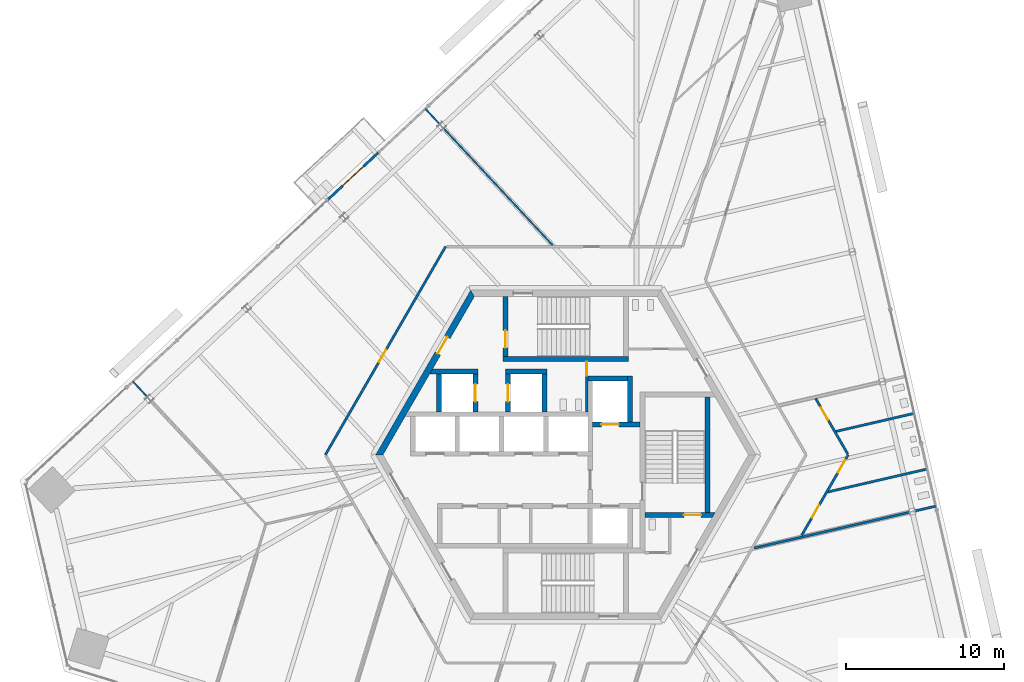
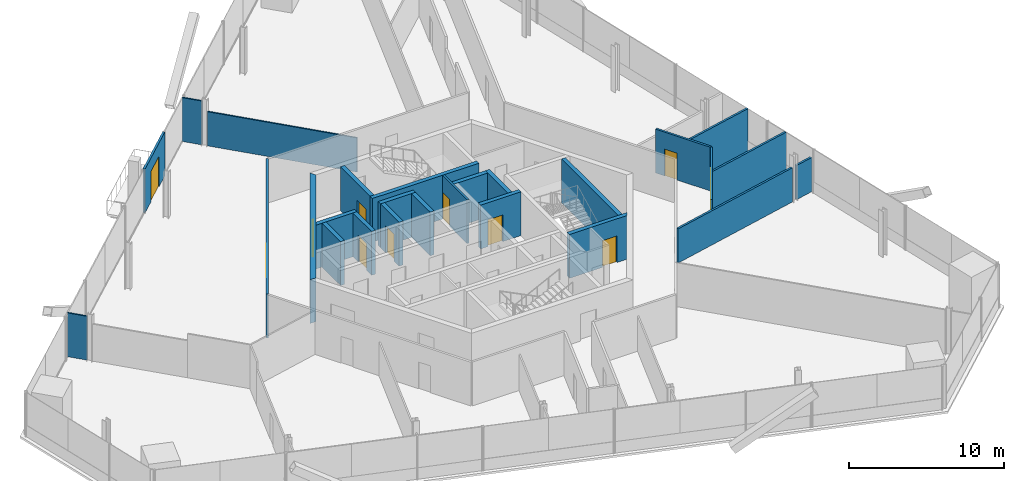
# One storey, part 12 of 17: 26 walls, 12 doors, 12 openings.
"""IFC4 building model written with IfcOpenShell, lengths in metres."""

from ifc_helpers import new_model, si_unit, direction, frame, frame_2d, origin, place, context, subcontext, project, spatial, polyline, rectangle, outline, extrude, source, transform, mapped, material, layer, layer_set, type_object, element, fill, save


model = new_model("IFC4")

# Units and contexts
model_context = context("Model", 3, precision=1e-05, world=origin(), true_north=direction((0.0, 1.0)))
body_context = subcontext(model_context, "Body", "Model", "MODEL_VIEW")
ifc_project = project(units=[si_unit("LENGTHUNIT", "METRE"), si_unit("AREAUNIT", "SQUARE_METRE"), si_unit("VOLUMEUNIT", "CUBIC_METRE"), si_unit("PLANEANGLEUNIT", "RADIAN"), si_unit("MASSUNIT", "GRAM", prefix="KILO")], contexts=[model_context])

# Site, building, storey
site_placement = place(None, origin())
site = spatial("IfcSite", under=ifc_project, at=site_placement, CompositionType="ELEMENT")
building_placement = place(site_placement, origin())
building = spatial("IfcBuilding", under=site, at=building_placement, Name="Triune Harvest Tower", CompositionType="ELEMENT")
storey_placement = place(building_placement, frame((0.0, 0.0, 123.5)))
storey = spatial("IfcBuildingStorey", under=building, at=storey_placement, Name="L31", CompositionType="ELEMENT", Elevation=123.5)

# Wall, opening, door
ifc_material_1 = material(Name="Gypsum board on steel studs", Category="steel")
ifc_layer_1 = layer(ifc_material_1, 0.14990234375)
ifc_layer_set_1 = layer_set([ifc_layer_1], Name="Gypsum board on steel studs")
wall_type_1 = type_object("IfcWallType", Name="Fire Partition 150 mm", PredefinedType="PARTITIONING", material=ifc_layer_set_1)
wall_1_placement = place(storey_placement, frame((15.77392578125, 3.563232421875, 0.0), z_axis=(0.0, 0.0, 1.0), x_axis=(0.499989360119, -0.866031546636, 0.0)))
wall_1 = element("IfcWall", 1, at=wall_1_placement, inside=storey, type_object=wall_type_1, Name="Partition L31 004", PredefinedType="PARTITIONING", context=body_context, shape_type="SweptSolid", body=[
    extrude(rectangle(XDim=4.064453125, YDim=0.14990234375, at=frame_2d((2.0322265625, 0.0))), origin(), (0.0, 0.0, 1.0), 3.43994140625),
])
opening_1_placement = place(wall_1_placement, frame((0.6796875, 0.0, 0.0)))
opening_1 = element("IfcOpeningElement", 2, at=opening_1_placement, cuts=wall_1, Name="Opening L31-005", PredefinedType="OPENING", context=body_context, shape_type="SweptSolid", body=[
    extrude(rectangle(XDim=0.89990234375, YDim=2.10009765625, at=frame_2d((0.449951171875, 1.050048828125))), frame((0.0, 0.0849609375, 0.0), z_axis=(0.0, -1.0, 0.0), x_axis=(1.0, 0.0, 0.0)), (0.0, 0.0, 1.0), 0.169921875),
])
ifc_material_2 = material(Name="Timber and steel door set", Category="steel")
door_type_1 = type_object("IfcDoorType", Name="Single leaf door FD30 left hand 900 x 2100", OperationType="SINGLE_SWING_LEFT", PredefinedType="DOOR", material=ifc_material_2)
door_1_placement = place(opening_1_placement, origin())
door_1 = element("IfcDoor", 3, at=door_1_placement, inside=storey, type_object=door_type_1, Name="Door L31-005 Accessible WC 31.05", OperationType="SINGLE_SWING_LEFT", OverallHeight=2.10009765625, OverallWidth=0.89990234375, PredefinedType="DOOR", context=body_context, shape_type="SweptSolid", body=[
    extrude(rectangle(XDim=0.89990234375, YDim=2.10009765625, at=frame_2d((0.449951171875, 1.050048828125))), frame((0.0, 0.02490234375, 0.0), z_axis=(0.0, -1.0, 0.0), x_axis=(1.0, 0.0, 0.0)), (0.0, 0.0, 1.0), 0.050048828125),
])
fill(opening_1, door_1)

# Walls
wall_2_placement = place(storey_placement, frame((22.048828125, -3.54541015625, 0.0), z_axis=(0.0, 0.0, 1.0), x_axis=(0.974363511026, 0.224979439906, 0.0)))
element("IfcWall", 4, at=wall_2_placement, inside=storey, type_object=wall_type_1, Name="Partition L31 017", PredefinedType="PARTITIONING", context=body_context, shape_type="SweptSolid", body=[
    extrude(rectangle(XDim=1.338134765625, YDim=0.14990234375, at=frame_2d((0.6689453125, 0.0))), origin(), (0.0, 0.0, 1.0), 2.68310546875),
])
wall_3_placement = place(storey_placement, frame((16.465576171875, -2.365234375, 0.0), z_axis=(0.0, 0.0, 1.0), x_axis=(0.974376029981, 0.224925214677, 0.0)))
element("IfcWall", 5, at=wall_3_placement, inside=storey, type_object=wall_type_1, Name="Partition L31 018", PredefinedType="PARTITIONING", context=body_context, shape_type="SweptSolid", body=[
    extrude(rectangle(XDim=6.5126953125, YDim=0.14990234375, at=frame_2d((3.25634765625, 0.0))), origin(), (0.0, 0.0, 1.0), 3.43994140625),
])
wall_4_placement = place(storey_placement, frame((16.98876953125, 1.458984375, 0.0), z_axis=(0.0, 0.0, 1.0), x_axis=(0.974363183616, 0.224980857881, 0.0)))
element("IfcWall", 6, at=wall_4_placement, inside=storey, type_object=wall_type_1, Name="Partition L31 019", PredefinedType="PARTITIONING", context=body_context, shape_type="SweptSolid", body=[
    extrude(rectangle(XDim=5.142578125, YDim=0.14990234375, at=frame_2d((2.5712890625, 0.0))), origin(), (0.0, 0.0, 1.0), 3.43994140625),
])

# Wall, openings, doors
wall_5_placement = place(storey_placement, frame((14.890869140625, -5.093017578125, 0.0), z_axis=(0.0, 0.0, 1.0), x_axis=(0.499996762963, 0.866027272681, 0.0)))
wall_5 = element("IfcWall", 7, at=wall_5_placement, inside=storey, type_object=wall_type_1, Name="Partition L31 024", PredefinedType="PARTITIONING", context=body_context, shape_type="SweptSolid", body=[
    extrude(rectangle(XDim=5.880859375, YDim=0.14990234375, at=frame_2d((2.9404296875, 0.0))), origin(), (0.0, 0.0, 1.0), 3.43994140625),
])
opening_2_placement = place(wall_5_placement, frame((1.31005859375, 0.0, 0.0)))
opening_2 = element("IfcOpeningElement", 8, at=opening_2_placement, cuts=wall_5, Name="Opening L31-003", PredefinedType="OPENING", context=body_context, shape_type="SweptSolid", body=[
    extrude(rectangle(XDim=0.89990234375, YDim=2.10009765625, at=frame_2d((0.449951171875, 1.050048828125))), frame((0.0, 0.0849609375, 0.0), z_axis=(0.0, -1.0, 0.0), x_axis=(1.0, 0.0, 0.0)), (0.0, 0.0, 1.0), 0.169921875),
])
opening_3_placement = place(wall_5_placement, frame((4.599609375, 0.0, 0.0)))
opening_3 = element("IfcOpeningElement", 9, at=opening_3_placement, cuts=wall_5, Name="Opening L31-004", PredefinedType="OPENING", context=body_context, shape_type="SweptSolid", body=[
    extrude(rectangle(XDim=0.89990234375, YDim=2.10009765625, at=frame_2d((0.449951171875, 1.050048828125))), frame((0.0, 0.0849609375, 0.0), z_axis=(0.0, -1.0, 0.0), x_axis=(1.0, 0.0, 0.0)), (0.0, 0.0, 1.0), 0.169921875),
])
door_2_placement = place(opening_3_placement, origin())
door_2 = element("IfcDoor", 10, at=door_2_placement, inside=storey, type_object=door_type_1, Name="Door L31-004 Men's WC 31.04", OperationType="SINGLE_SWING_LEFT", OverallHeight=2.10009765625, OverallWidth=0.89990234375, PredefinedType="DOOR", context=body_context, shape_type="SweptSolid", body=[
    extrude(rectangle(XDim=0.89990234375, YDim=2.10009765625, at=frame_2d((0.449951171875, 1.050048828125))), frame((0.0, 0.02490234375, 0.0), z_axis=(0.0, -1.0, 0.0), x_axis=(1.0, 0.0, 0.0)), (0.0, 0.0, 1.0), 0.050048828125),
])
fill(opening_3, door_2)
ifc_material_3 = material(Name="Timber and steel door set", Category="steel")
door_type_2 = type_object("IfcDoorType", Name="Single leaf door FD30 right hand 900 x 2100", OperationType="SINGLE_SWING_RIGHT", PredefinedType="DOOR", material=ifc_material_3)
door_3_placement = place(opening_2_placement, origin())
door_3 = element("IfcDoor", 11, at=door_3_placement, inside=storey, type_object=door_type_2, Name="Door L31-003 Women's WC 31.03", OperationType="SINGLE_SWING_RIGHT", OverallHeight=2.10009765625, OverallWidth=0.89990234375, PredefinedType="DOOR", context=body_context, shape_type="SweptSolid", body=[
    extrude(rectangle(XDim=0.89990234375, YDim=2.10009765625, at=frame_2d((0.449951171875, 1.050048828125))), frame((0.0, 0.02490234375, 0.0), z_axis=(0.0, -1.0, 0.0), x_axis=(1.0, 0.0, 0.0)), (0.0, 0.0, 1.0), 0.050048828125),
])
fill(opening_2, door_3)

# Wall, opening, door
ifc_material_4 = material(Name="Concrete 70 MPa", Category="concrete")
ifc_layer_2 = layer(ifc_material_4, 0.39990234375)
ifc_layer_set_2 = layer_set([ifc_layer_2], Name="Concrete 70 MPa")
wall_type_2 = type_object("IfcWallType", Name="Core wall 400", PredefinedType="SHEAR", material=ifc_layer_set_2)
shared_shape_1 = source(origin(), body_context, "Body", "SweptSolid", [
    extrude(outline(polyline([(-0.115478515625, -0.199951171875), (11.884521484375, -0.199951171875), (11.653564453125, 0.199951171875), (0.115478515625, 0.199951171875), (-0.115478515625, -0.199951171875)])), origin(), (0.0, 0.0, 1.0), 3.43994140625),
])
wall_6_placement = place(storey_placement, frame((-5.884521484375, 10.1923828125, 0.0), z_axis=(0.0, 0.0, 1.0), x_axis=(-0.499996592174, -0.866027371285, 0.0)))
wall_6 = element("IfcWall", 12, at=wall_6_placement, inside=storey, type_object=wall_type_2, Name="Hexagon 2 wall", PredefinedType="SHEAR", context=body_context, shape_type="MappedRepresentation", body=[
    mapped(shared_shape_1, transform((0.0, 0.0, 0.0), scale=1.0)),
])
opening_4_placement = place(wall_6_placement, frame((3.1845703125, 0.0, 0.0)))
opening_4 = element("IfcOpeningElement", 13, at=opening_4_placement, cuts=wall_6, Name="Opening CD-SVP", PredefinedType="OPENING", context=body_context, shape_type="SweptSolid", body=[
    extrude(rectangle(XDim=1.199951171875, YDim=2.10009765625, at=frame_2d((0.60009765625, 1.050048828125))), frame((0.0, 0.2099609375, 0.0), z_axis=(0.0, -1.0, 0.0), x_axis=(1.0, 0.0, 0.0)), (0.0, 0.0, 1.0), 0.419921875),
])
ifc_material_5 = material(Name="Steel S235", Category="steel")
door_type_3 = type_object("IfcDoorType", Name="Service door 1200 FD120", OperationType="SINGLE_SWING_LEFT", PredefinedType="DOOR", material=ifc_material_5)
door_4_placement = place(opening_4_placement, frame((1.199951171875, 0.0, 0.0), z_axis=(0.0, 0.0, 1.0), x_axis=(-1.0, 0.0, 0.0)))
door_4 = element("IfcDoor", 14, at=door_4_placement, inside=storey, type_object=door_type_3, Name="Door CD-SVP", OperationType="SINGLE_SWING_RIGHT", OverallHeight=2.10009765625, OverallWidth=1.199951171875, PredefinedType="DOOR", context=body_context, shape_type="SweptSolid", body=[
    extrude(rectangle(XDim=1.199951171875, YDim=2.10009765625, at=frame_2d((0.60009765625, 1.050048828125))), frame((0.0, 0.02490234375, 0.0), z_axis=(0.0, -1.0, 0.0), x_axis=(1.0, 0.0, 0.0)), (0.0, 0.0, 1.0), 0.050048828125),
])
fill(opening_4, door_4)

# Wall
ifc_material_6 = material(Name="Concrete 70 MPa", Category="concrete")
ifc_layer_3 = layer(ifc_material_6, 0.300048828125)
ifc_layer_set_3 = layer_set([ifc_layer_3], Name="Concrete 70 MPa")
wall_type_3 = type_object("IfcWallType", Name="Core wall 300", PredefinedType="SHEAR", material=ifc_layer_set_3)
shared_shape_2 = source(origin(), body_context, "Body", "SweptSolid", [
    extrude(rectangle(XDim=2.5, YDim=0.300048828125, at=frame_2d((1.25, 0.0))), origin(), (0.0, 0.0, 1.0), 3.43994140625),
])
wall_7_placement = place(storey_placement, frame((1.39990234375, 4.81005859375, 0.0), z_axis=(0.0, 0.0, 1.0), x_axis=(1.0, 0.0, 0.0)))
element("IfcWall", 15, at=wall_7_placement, inside=storey, type_object=wall_type_3, Name="Ff1 back wall", PredefinedType="SHEAR", context=body_context, shape_type="MappedRepresentation", body=[
    mapped(shared_shape_2, transform((0.0, 0.0, 0.0), scale=1.0)),
])

# Wall, opening, door
shared_shape_3 = source(origin(), body_context, "Body", "SweptSolid", [
    extrude(rectangle(XDim=3.0, YDim=0.300048828125, at=frame_2d((1.5, 0.0))), origin(), (0.0, 0.0, 1.0), 3.43994140625),
])
wall_8_placement = place(storey_placement, frame((1.699951171875, 1.909912109375, 0.0), z_axis=(0.0, 0.0, 1.0), x_axis=(1.0, 0.0, 0.0)))
wall_8 = element("IfcWall", 16, at=wall_8_placement, inside=storey, type_object=wall_type_3, Name="Ff1 front wall", PredefinedType="SHEAR", context=body_context, shape_type="MappedRepresentation", body=[
    mapped(shared_shape_3, transform((0.0, 0.0, 0.0), scale=1.0)),
])
opening_5_placement = place(wall_8_placement, frame((0.550048828125, 0.0, 0.0)))
opening_5 = element("IfcOpeningElement", 17, at=opening_5_placement, cuts=wall_8, Name="Opening LD-FF1-31", PredefinedType="OPENING", context=body_context, shape_type="SweptSolid", body=[
    extrude(rectangle(XDim=1.10009765625, YDim=2.10009765625, at=frame_2d((0.550048828125, 1.050048828125))), frame((0.0, 0.16015625, 0.0), z_axis=(0.0, -1.0, 0.0), x_axis=(1.0, 0.0, 0.0)), (0.0, 0.0, 1.0), 0.320068359375),
])
ifc_material_7 = material(Name="Stainless steel AISI 304", Category="steel")
door_type_4 = type_object("IfcDoorType", Name="Landing door 1100 x 2100", OperationType="DOUBLE_DOOR_SLIDING", PredefinedType="DOOR", material=ifc_material_7)
door_5_placement = place(opening_5_placement, origin())
door_5 = element("IfcDoor", 18, at=door_5_placement, inside=storey, type_object=door_type_4, Name="Door LD-FF1-31", OperationType="DOUBLE_DOOR_SLIDING", OverallHeight=2.10009765625, OverallWidth=1.10009765625, PredefinedType="DOOR", context=body_context, shape_type="SweptSolid", body=[
    extrude(rectangle(XDim=1.10009765625, YDim=2.10009765625, at=frame_2d((0.550048828125, 1.050048828125))), frame((0.0, 0.02490234375, 0.0), z_axis=(0.0, -1.0, 0.0), x_axis=(1.0, 0.0, 0.0)), (0.0, 0.0, 1.0), 0.050048828125),
])
fill(opening_5, door_5)

# Wall
shared_shape_4 = source(origin(), body_context, "Body", "SweptSolid", [
    extrude(rectangle(XDim=2.89990234375, YDim=0.300048828125, at=frame_2d((1.449951171875, 0.0))), origin(), (0.0, 0.0, 1.0), 3.43994140625),
])
wall_9_placement = place(storey_placement, frame((4.050048828125, 2.06005859375, 0.0), z_axis=(0.0, 0.0, 1.0), x_axis=(0.0, 1.0, 0.0)))
element("IfcWall", 19, at=wall_9_placement, inside=storey, type_object=wall_type_3, Name="Ff1 east wall", PredefinedType="SHEAR", context=body_context, shape_type="MappedRepresentation", body=[
    mapped(shared_shape_4, transform((0.0, 0.0, 0.0), scale=1.0)),
])

# Wall, opening, door
shared_shape_5 = source(origin(), body_context, "Body", "SweptSolid", [
    extrude(outline(polyline([(0.0, -0.14990234375), (0.0, 0.14990234375), (4.43310546875, 0.14990234375), (4.260009765625, -0.14990234375), (0.0, -0.14990234375)])), origin(), (0.0, 0.0, 1.0), 3.43994140625),
])
wall_10_placement = place(storey_placement, frame((5.0, -3.800048828125, 0.0), z_axis=(0.0, 0.0, 1.0), x_axis=(1.0, 0.0, 0.0)))
wall_10 = element("IfcWall", 20, at=wall_10_placement, inside=storey, type_object=wall_type_3, Name="Stair e south wall", PredefinedType="SHEAR", context=body_context, shape_type="MappedRepresentation", body=[
    mapped(shared_shape_5, transform((0.0, 0.0, 0.0), scale=1.0)),
])
opening_6_placement = place(wall_10_placement, frame((2.449951171875, 0.0, 0.0)))
opening_6 = element("IfcOpeningElement", 21, at=opening_6_placement, cuts=wall_10, Name="Opening CD-S3D", PredefinedType="OPENING", context=body_context, shape_type="SweptSolid", body=[
    extrude(rectangle(XDim=1.10009765625, YDim=2.10009765625, at=frame_2d((0.550048828125, 1.050048828125))), frame((0.0, 0.16015625, 0.0), z_axis=(0.0, -1.0, 0.0), x_axis=(1.0, 0.0, 0.0)), (0.0, 0.0, 1.0), 0.320068359375),
])
ifc_material_8 = material(Name="Steel S235", Category="steel")
door_type_5 = type_object("IfcDoorType", Name="Stair door 1100 FD120", OperationType="SINGLE_SWING_LEFT", PredefinedType="DOOR", material=ifc_material_8)
door_6_placement = place(opening_6_placement, frame((1.10009765625, 0.0, 0.0), z_axis=(0.0, 0.0, 1.0), x_axis=(-1.0, 0.0, 0.0)))
door_6 = element("IfcDoor", 22, at=door_6_placement, inside=storey, type_object=door_type_5, Name="Door CD-S3D", OperationType="SINGLE_SWING_RIGHT", OverallHeight=2.10009765625, OverallWidth=1.10009765625, PredefinedType="DOOR", context=body_context, shape_type="SweptSolid", body=[
    extrude(rectangle(XDim=1.10009765625, YDim=2.10009765625, at=frame_2d((0.550048828125, 1.050048828125))), frame((0.0, 0.02490234375, 0.0), z_axis=(0.0, -1.0, 0.0), x_axis=(1.0, 0.0, 0.0)), (0.0, 0.0, 1.0), 0.050048828125),
])
fill(opening_6, door_6)

# Walls
shared_shape_6 = source(origin(), body_context, "Body", "SweptSolid", [
    extrude(rectangle(XDim=7.2998046875, YDim=0.300048828125, at=frame_2d((3.64990234375, 0.0))), origin(), (0.0, 0.0, 1.0), 3.43994140625),
])
wall_11_placement = place(storey_placement, frame((8.949951171875, -3.64990234375, 0.0), z_axis=(0.0, 0.0, 1.0), x_axis=(0.0, 1.0, 0.0)))
element("IfcWall", 23, at=wall_11_placement, inside=storey, type_object=wall_type_3, Name="Stair e east wall", PredefinedType="SHEAR", context=body_context, shape_type="MappedRepresentation", body=[
    mapped(shared_shape_6, transform((0.0, 0.0, 0.0), scale=1.0)),
])
shared_shape_7 = source(origin(), body_context, "Body", "SweptSolid", [
    extrude(rectangle(XDim=7.89990234375, YDim=0.300048828125, at=frame_2d((3.949951171875, 0.0))), origin(), (0.0, 0.0, 1.0), 3.43994140625),
])
wall_12_placement = place(storey_placement, frame((-3.949951171875, 6.0400390625, 0.0), z_axis=(0.0, 0.0, 1.0), x_axis=(1.0, 0.0, 0.0)))
element("IfcWall", 24, at=wall_12_placement, inside=storey, type_object=wall_type_3, Name="Stair n south wall", PredefinedType="SHEAR", context=body_context, shape_type="MappedRepresentation", body=[
    mapped(shared_shape_7, transform((0.0, 0.0, 0.0), scale=1.0)),
])

# Wall, opening, door
shared_shape_8 = source(origin(), body_context, "Body", "SweptSolid", [
    extrude(outline(polyline([(0.0, -0.14990234375), (0.0, 0.14990234375), (3.80419921875, 0.14990234375), (3.80419921875, -0.14990234375), (0.0, -0.14990234375)])), origin(), (0.0, 0.0, 1.0), 3.43994140625),
])
wall_13_placement = place(storey_placement, frame((-3.800048828125, 6.18994140625, 0.0), z_axis=(0.0, 0.0, 1.0), x_axis=(0.0, 1.0, 0.0)))
wall_13 = element("IfcWall", 25, at=wall_13_placement, inside=storey, type_object=wall_type_3, Name="Stair n west wall", PredefinedType="SHEAR", context=body_context, shape_type="MappedRepresentation", body=[
    mapped(shared_shape_8, transform((0.0, 0.0, 0.0), scale=1.0)),
])
opening_7_placement = place(wall_13_placement, frame((0.56005859375, 0.0, 0.0)))
opening_7 = element("IfcOpeningElement", 26, at=opening_7_placement, cuts=wall_13, Name="Opening CD-S1L", PredefinedType="OPENING", context=body_context, shape_type="SweptSolid", body=[
    extrude(rectangle(XDim=1.10009765625, YDim=2.10009765625, at=frame_2d((0.550048828125, 1.050048828125))), frame((0.0, 0.16015625, 0.0), z_axis=(0.0, -1.0, 0.0), x_axis=(1.0, 0.0, 0.0)), (0.0, 0.0, 1.0), 0.320068359375),
])
door_7_placement = place(opening_7_placement, frame((1.10009765625, 0.0, 0.0), z_axis=(0.0, 0.0, 1.0), x_axis=(-1.0, 0.0, 0.0)))
door_7 = element("IfcDoor", 27, at=door_7_placement, inside=storey, type_object=door_type_5, Name="Door CD-S1L", OperationType="SINGLE_SWING_RIGHT", OverallHeight=2.10009765625, OverallWidth=1.10009765625, PredefinedType="DOOR", context=body_context, shape_type="SweptSolid", body=[
    extrude(rectangle(XDim=1.10009765625, YDim=2.10009765625, at=frame_2d((0.550048828125, 1.050048828125))), frame((0.0, 0.02490234375, 0.0), z_axis=(0.0, -1.0, 0.0), x_axis=(1.0, 0.0, 0.0)), (0.0, 0.0, 1.0), 0.050048828125),
])
fill(opening_7, door_7)

# Walls
shared_shape_9 = source(origin(), body_context, "Body", "SweptSolid", [
    extrude(outline(polyline([(2.60009765625, -0.14990234375), (-0.440185546875, -0.14990234375), (-0.26708984375, 0.14990234375), (2.60009765625, 0.14990234375), (2.60009765625, -0.14990234375)])), origin(), (0.0, 0.0, 1.0), 3.43994140625),
])
wall_14_placement = place(storey_placement, frame((-8.14990234375, 5.260009765625, 0.0), z_axis=(0.0, 0.0, 1.0), x_axis=(1.0, 0.0, 0.0)))
element("IfcWall", 28, at=wall_14_placement, inside=storey, type_object=wall_type_3, Name="Sv1 north wall", PredefinedType="SHEAR", context=body_context, shape_type="MappedRepresentation", body=[
    mapped(shared_shape_9, transform((0.0, 0.0, 0.0), scale=1.0)),
])
shared_shape_10 = source(origin(), body_context, "Body", "SweptSolid", [
    extrude(rectangle(XDim=2.400146484375, YDim=0.300048828125, at=frame_2d((1.2001953125, 0.0))), origin(), (0.0, 0.0, 1.0), 3.43994140625),
])
wall_15_placement = place(storey_placement, frame((-8.0, 2.7099609375, 0.0), z_axis=(0.0, 0.0, 1.0), x_axis=(0.0, 1.0, 0.0)))
element("IfcWall", 29, at=wall_15_placement, inside=storey, type_object=wall_type_3, Name="Sv1 west wall", PredefinedType="SHEAR", context=body_context, shape_type="MappedRepresentation", body=[
    mapped(shared_shape_10, transform((0.0, 0.0, 0.0), scale=1.0)),
])

# Wall, opening, door
wall_16_placement = place(storey_placement, frame((-5.699951171875, 2.7099609375, 0.0), z_axis=(0.0, 0.0, 1.0), x_axis=(0.0, 1.0, 0.0)))
wall_16 = element("IfcWall", 30, at=wall_16_placement, inside=storey, type_object=wall_type_3, Name="Sv1 east wall", PredefinedType="SHEAR", context=body_context, shape_type="MappedRepresentation", body=[
    mapped(shared_shape_10, transform((0.0, 0.0, 0.0), scale=1.0)),
])
opening_8_placement = place(wall_16_placement, frame((0.64990234375, 0.0, 0.0)))
opening_8 = element("IfcOpeningElement", 31, at=opening_8_placement, cuts=wall_16, Name="Opening LD-SV1-31", PredefinedType="OPENING", context=body_context, shape_type="SweptSolid", body=[
    extrude(rectangle(XDim=1.10009765625, YDim=2.10009765625, at=frame_2d((0.550048828125, 1.050048828125))), frame((0.0, 0.16015625, 0.0), z_axis=(0.0, -1.0, 0.0), x_axis=(1.0, 0.0, 0.0)), (0.0, 0.0, 1.0), 0.320068359375),
])
door_8_placement = place(opening_8_placement, origin())
door_8 = element("IfcDoor", 32, at=door_8_placement, inside=storey, type_object=door_type_4, Name="Door LD-SV1-31", OperationType="DOUBLE_DOOR_SLIDING", OverallHeight=2.10009765625, OverallWidth=1.10009765625, PredefinedType="DOOR", context=body_context, shape_type="SweptSolid", body=[
    extrude(rectangle(XDim=1.10009765625, YDim=2.10009765625, at=frame_2d((0.550048828125, 1.050048828125))), frame((0.0, 0.02490234375, 0.0), z_axis=(0.0, -1.0, 0.0), x_axis=(1.0, 0.0, 0.0)), (0.0, 0.0, 1.0), 0.050048828125),
])
fill(opening_8, door_8)

wall_17_placement = place(storey_placement, frame((-3.64990234375, 2.7099609375, 0.0), z_axis=(0.0, 0.0, 1.0), x_axis=(0.0, 1.0, 0.0)))
wall_17 = element("IfcWall", 33, at=wall_17_placement, inside=storey, type_object=wall_type_3, Name="Sv2 west wall", PredefinedType="SHEAR", context=body_context, shape_type="MappedRepresentation", body=[
    mapped(shared_shape_10, transform((0.0, 0.0, 0.0), scale=1.0)),
])
opening_9_placement = place(wall_17_placement, frame((0.64990234375, 0.0, 0.0)))
opening_9 = element("IfcOpeningElement", 34, at=opening_9_placement, cuts=wall_17, Name="Opening LD-SV2-31", PredefinedType="OPENING", context=body_context, shape_type="SweptSolid", body=[
    extrude(rectangle(XDim=1.10009765625, YDim=2.10009765625, at=frame_2d((0.550048828125, 1.050048828125))), frame((0.0, 0.16015625, 0.0), z_axis=(0.0, -1.0, 0.0), x_axis=(1.0, 0.0, 0.0)), (0.0, 0.0, 1.0), 0.320068359375),
])
door_9_placement = place(opening_9_placement, origin())
door_9 = element("IfcDoor", 35, at=door_9_placement, inside=storey, type_object=door_type_4, Name="Door LD-SV2-31", OperationType="DOUBLE_DOOR_SLIDING", OverallHeight=2.10009765625, OverallWidth=1.10009765625, PredefinedType="DOOR", context=body_context, shape_type="SweptSolid", body=[
    extrude(rectangle(XDim=1.10009765625, YDim=2.10009765625, at=frame_2d((0.550048828125, 1.050048828125))), frame((0.0, 0.02490234375, 0.0), z_axis=(0.0, -1.0, 0.0), x_axis=(1.0, 0.0, 0.0)), (0.0, 0.0, 1.0), 0.050048828125),
])
fill(opening_9, door_9)

# Walls
wall_18_placement = place(storey_placement, frame((-1.35009765625, 2.7099609375, 0.0), z_axis=(0.0, 0.0, 1.0), x_axis=(0.0, 1.0, 0.0)))
element("IfcWall", 36, at=wall_18_placement, inside=storey, type_object=wall_type_3, Name="Sv2 east wall", PredefinedType="SHEAR", context=body_context, shape_type="MappedRepresentation", body=[
    mapped(shared_shape_10, transform((0.0, 0.0, 0.0), scale=1.0)),
])
shared_shape_11 = source(origin(), body_context, "Body", "SweptSolid", [
    extrude(rectangle(XDim=2.60009765625, YDim=0.300048828125, at=frame_2d((1.300048828125, 0.0))), origin(), (0.0, 0.0, 1.0), 3.43994140625),
])
wall_19_placement = place(storey_placement, frame((-3.800048828125, 5.260009765625, 0.0), z_axis=(0.0, 0.0, 1.0), x_axis=(1.0, 0.0, 0.0)))
element("IfcWall", 37, at=wall_19_placement, inside=storey, type_object=wall_type_3, Name="Sv2 north wall", PredefinedType="SHEAR", context=body_context, shape_type="MappedRepresentation", body=[
    mapped(shared_shape_11, transform((0.0, 0.0, 0.0), scale=1.0)),
])

# Wall, opening, door
ifc_material_9 = material(Name="Concrete masonry unit", Category="masonry")
ifc_layer_4 = layer(ifc_material_9, 0.14990234375)
ifc_layer_set_4 = layer_set([ifc_layer_4], Name="Concrete masonry unit")
wall_type_4 = type_object("IfcWallType", Name="Block partition 150 unrated", PredefinedType="PARTITIONING", material=ifc_layer_set_4)
shared_shape_12 = source(origin(), body_context, "Body", "SweptSolid", [
    extrude(rectangle(XDim=3.179931640625, YDim=0.14990234375, at=frame_2d((1.58984375, 0.0))), origin(), (0.0, 0.0, 1.0), 3.43994140625),
])
wall_20_placement = place(storey_placement, frame((1.324951171875, 2.7099609375, 0.0), z_axis=(0.0, 0.0, 1.0), x_axis=(0.0, 1.0, 0.0)))
wall_20 = element("IfcWall", 38, at=wall_20_placement, inside=storey, type_object=wall_type_4, Name="Wc men east wall", PredefinedType="PARTITIONING", context=body_context, shape_type="MappedRepresentation", body=[
    mapped(shared_shape_12, transform((0.0, 0.0, 0.0), scale=1.0)),
])
opening_10_placement = place(wall_20_placement, frame((2.264892578125, 0.0, 0.0)))
opening_10 = element("IfcOpeningElement", 39, at=opening_10_placement, cuts=wall_20, Name="Opening CD-WM", PredefinedType="OPENING", context=body_context, shape_type="SweptSolid", body=[
    extrude(rectangle(XDim=0.89990234375, YDim=2.10009765625, at=frame_2d((0.449951171875, 1.050048828125))), frame((0.0, 0.0849609375, 0.0), z_axis=(0.0, -1.0, 0.0), x_axis=(1.0, 0.0, 0.0)), (0.0, 0.0, 1.0), 0.169921875),
])
ifc_material_10 = material(Name="Timber C24", Category="wood")
door_type_6 = type_object("IfcDoorType", Name="WC door 900", OperationType="SINGLE_SWING_LEFT", PredefinedType="DOOR", material=ifc_material_10)
door_10_placement = place(opening_10_placement, origin())
door_10 = element("IfcDoor", 40, at=door_10_placement, inside=storey, type_object=door_type_6, Name="Door CD-WM", OperationType="SINGLE_SWING_LEFT", OverallHeight=2.10009765625, OverallWidth=0.89990234375, PredefinedType="DOOR", context=body_context, shape_type="SweptSolid", body=[
    extrude(rectangle(XDim=0.89990234375, YDim=2.10009765625, at=frame_2d((0.449951171875, 1.050048828125))), frame((0.0, 0.02490234375, 0.0), z_axis=(0.0, -1.0, 0.0), x_axis=(1.0, 0.0, 0.0)), (0.0, 0.0, 1.0), 0.050048828125),
])
fill(opening_10, door_10)

ifc_material_11 = material(Name="Aluminium bronze anodised", Category="aluminium")
ifc_layer_5 = layer(ifc_material_11, 0.14990234375)
ifc_layer_set_5 = layer_set([ifc_layer_5], Name="Aluminium bronze anodised")
wall_type_5 = type_object("IfcWallType", Name="WW-2 balcony window wall", PredefinedType="ELEMENTEDWALL", material=ifc_layer_set_5)
shared_shape_13 = source(origin(), body_context, "Body", "SweptSolid", [
    extrude(rectangle(XDim=4.353271484375, YDim=0.14990234375, at=frame_2d((2.1767578125, 0.0))), origin(), (0.0, 0.0, 1.0), 3.43994140625),
])
wall_21_placement = place(storey_placement, frame((-15.0205078125, 16.107421875, 0.0), z_axis=(0.0, 0.0, 1.0), x_axis=(0.731351722258, 0.682000482661, 0.0)))
wall_21 = element("IfcWall", 41, at=wall_21_placement, inside=storey, type_object=wall_type_5, Name="WW-2 B3-F3 L31.6", PredefinedType="ELEMENTEDWALL", context=body_context, shape_type="MappedRepresentation", body=[
    mapped(shared_shape_13, transform((0.0, 0.0, 0.0), scale=1.0)),
])
opening_11_placement = place(wall_21_placement, frame((1.276611328125, 0.0, 0.0)))
opening_11 = element("IfcOpeningElement", 42, at=opening_11_placement, cuts=wall_21, Name="Opening L31-E01", PredefinedType="OPENING", context=body_context, shape_type="SweptSolid", body=[
    extrude(rectangle(XDim=1.800048828125, YDim=2.39990234375, at=frame_2d((0.89990234375, 1.199951171875))), frame((0.0, 0.0849609375, 0.0), z_axis=(0.0, -1.0, 0.0), x_axis=(1.0, 0.0, 0.0)), (0.0, 0.0, 1.0), 0.169921875),
])
ifc_material_12 = material(Name="Glass", Category="glass")
door_type_7 = type_object("IfcDoorType", Name="DB-1 balcony door 1800 x 2400", OperationType="DOUBLE_DOOR_SINGLE_SWING", PredefinedType="DOOR", material=ifc_material_12)
door_11_placement = place(opening_11_placement, origin())
door_11 = element("IfcDoor", 43, at=door_11_placement, inside=storey, type_object=door_type_7, Name="Door L31-E01", OperationType="DOUBLE_DOOR_SINGLE_SWING", OverallHeight=2.39990234375, OverallWidth=1.800048828125, PredefinedType="DOOR", context=body_context, shape_type="SweptSolid", body=[
    extrude(rectangle(XDim=1.800048828125, YDim=2.39990234375, at=frame_2d((0.89990234375, 1.199951171875))), frame((0.0, 0.02490234375, 0.0), z_axis=(0.0, -1.0, 0.0), x_axis=(1.0, 0.0, 0.0)), (0.0, 0.0, 1.0), 0.050048828125),
])
fill(opening_11, door_11)

# Walls
ifc_material_13 = material(Name="Gypsum board on steel studs", Category="steel")
ifc_layer_6 = layer(ifc_material_13, 0.10009765625)
ifc_layer_set_6 = layer_set([ifc_layer_6], Name="Gypsum board on steel studs")
wall_type_6 = type_object("IfcWallType", Name="Partition 100 mm", PredefinedType="PARTITIONING", material=ifc_layer_set_6)
shared_shape_14 = source(origin(), body_context, "Body", "SweptSolid", [
    extrude(rectangle(XDim=1.338134765625, YDim=0.10009765625, at=frame_2d((0.6689453125, 0.0))), origin(), (0.0, 0.0, 1.0), 3.43994140625),
])
for number, where, z_axis, x_axis, name in (
    (44, (-27.328369140625, 4.630126953125, 0.0), (0.0, 0.0, 1.0), (0.68204515899, -0.731310058114, 0.0), "Partition L31 005"),
    (45, (-8.866455078125, 21.84619140625, 0.0), (0.0, 0.0, 1.0), (0.681954155979, -0.731394920096, 0.0), "Partition L31 009"),
):
    element("IfcWall", number, at=place(storey_placement, frame(where, z_axis=z_axis, x_axis=x_axis)), inside=storey, type_object=wall_type_6, Name=name, PredefinedType="PARTITIONING", context=body_context, shape_type="MappedRepresentation", body=[
        mapped(shared_shape_14, transform((0.0, 0.0, 0.0), scale=1.0)),
    ])
shared_shape_15 = source(origin(), body_context, "Body", "SweptSolid", [
    extrude(rectangle(XDim=10.08203125, YDim=0.10009765625, at=frame_2d((5.041015625, 0.0))), origin(), (0.0, 0.0, 1.0), 2.68310546875),
])
wall_22_placement = place(storey_placement, frame((-7.707763671875, 20.603515625, 0.0), z_axis=(0.0, 0.0, 1.0), x_axis=(0.682000683285, -0.731351535172, 0.0)))
element("IfcWall", 46, at=wall_22_placement, inside=storey, type_object=wall_type_6, Name="Partition L31 010", PredefinedType="PARTITIONING", context=body_context, shape_type="MappedRepresentation", body=[
    mapped(shared_shape_15, transform((0.0, 0.0, 0.0), scale=1.0)),
])
shared_shape_16 = source(origin(), body_context, "Body", "SweptSolid", [
    extrude(rectangle(XDim=10.061767578125, YDim=0.14990234375, at=frame_2d((5.03076171875, 0.0))), origin(), (0.0, 0.0, 1.0), 2.68310546875),
])
wall_23_placement = place(storey_placement, frame((11.89306640625, -5.889892578125, 0.0), z_axis=(0.0, 0.0, 1.0), x_axis=(0.97437524434, 0.22492861805, 0.0)))
element("IfcWall", 47, at=wall_23_placement, inside=storey, type_object=wall_type_1, Name="Partition L31 016", PredefinedType="PARTITIONING", context=body_context, shape_type="MappedRepresentation", body=[
    mapped(shared_shape_16, transform((0.0, 0.0, 0.0), scale=1.0)),
])

# Wall, opening, door
shared_shape_17 = source(origin(), body_context, "Body", "SweptSolid", [
    extrude(rectangle(XDim=15.175537109375, YDim=0.14990234375, at=frame_2d((7.587890625, 0.0))), origin(), (0.0, 0.0, 1.0), 3.43994140625),
])
wall_24_placement = place(storey_placement, frame((-15.17529296875, 0.0, 0.0), z_axis=(0.0, 0.0, 1.0), x_axis=(0.499995869336, 0.866027788611, 0.0)))
wall_24 = element("IfcWall", 48, at=wall_24_placement, inside=storey, type_object=wall_type_1, Name="Partition L31 026", PredefinedType="PARTITIONING", context=body_context, shape_type="MappedRepresentation", body=[
    mapped(shared_shape_17, transform((0.0, 0.0, 0.0), scale=1.0)),
])
opening_12_placement = place(wall_24_placement, frame((6.755615234375, 0.0, 0.0)))
opening_12 = element("IfcOpeningElement", 49, at=opening_12_placement, cuts=wall_24, Name="Opening L31-010", PredefinedType="OPENING", context=body_context, shape_type="SweptSolid", body=[
    extrude(rectangle(XDim=0.89990234375, YDim=2.10009765625, at=frame_2d((0.449951171875, 1.050048828125))), frame((0.0, 0.0849609375, 0.0), z_axis=(0.0, -1.0, 0.0), x_axis=(1.0, 0.0, 0.0)), (0.0, 0.0, 1.0), 0.169921875),
])
door_12_placement = place(opening_12_placement, origin())
door_12 = element("IfcDoor", 50, at=door_12_placement, inside=storey, type_object=door_type_1, Name="Door L31-010 Open Office 31.10", OperationType="SINGLE_SWING_LEFT", OverallHeight=2.10009765625, OverallWidth=0.89990234375, PredefinedType="DOOR", context=body_context, shape_type="SweptSolid", body=[
    extrude(rectangle(XDim=0.89990234375, YDim=2.10009765625, at=frame_2d((0.449951171875, 1.050048828125))), frame((0.0, 0.02490234375, 0.0), z_axis=(0.0, -1.0, 0.0), x_axis=(1.0, 0.0, 0.0)), (0.0, 0.0, 1.0), 0.050048828125),
])
fill(opening_12, door_12)

save(model, "model.ifc")
